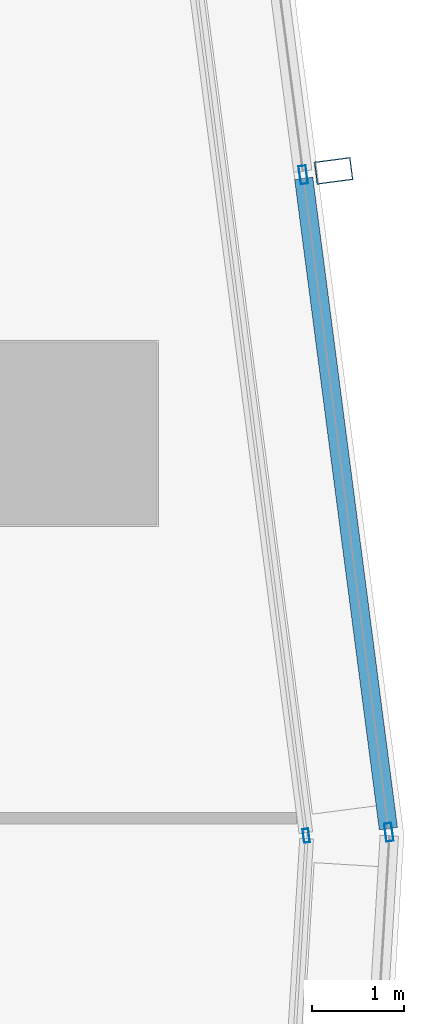
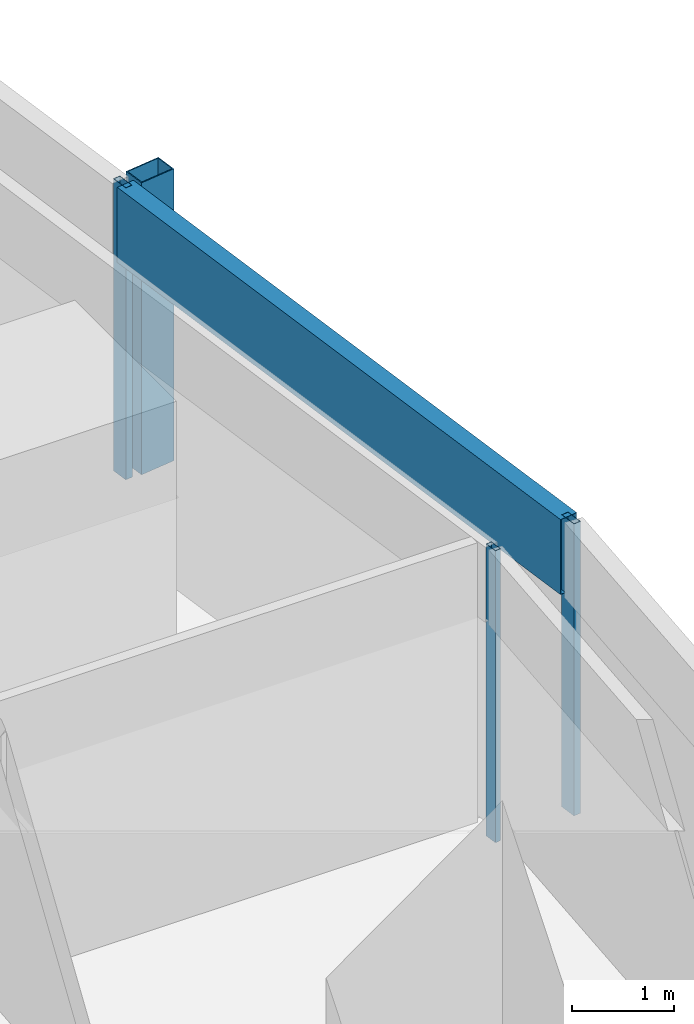
# One storey, part 23 of 36: 5 members, 2 elements without a shape of their own.
"""IFC4 building model written with IfcOpenShell, lengths in metres."""

import ifcopenshell
import ifcopenshell.guid

model = None  # the IFC model being written
_history = None  # IfcOwnerHistory: only IFC2X3 demands one
_inside = {}  # id of a spatial element -> (the spatial element, [elements in it])
_under = {}  # id of a project, library or spatial element -> (it, [spatial elements below it])
_declared = {}  # id of a project -> (the project, [libraries it declares])
_typed = {}  # id of a type object -> (the type object, [elements of that type])
_made_of = {}  # id of a material, layer set ... -> (it, [elements and type objects made of it])


def new_model(schema):
    """Start an empty IFC model of exactly this schema.

    Asked for "IFC4X3", IfcOpenShell would pick the latest addendum, in which some entities
    have other attributes; the version numbers below select the first issue.
    IFC2X3 requires an IfcOwnerHistory on every rooted entity: one is made here for all.
    """
    global model, _history
    if schema == "IFC4X3":
        model = ifcopenshell.file(schema_version=(4, 3, 0, 0))
    else:
        model = ifcopenshell.file(schema=schema)
    _inside.clear()
    _under.clear()
    _declared.clear()
    _typed.clear()
    _made_of.clear()
    _history = None
    if model.schema == "IFC2X3":
        org = make("IfcOrganization", Name="unknown")
        user = make(
            "IfcPersonAndOrganization",
            ThePerson=make("IfcPerson", FamilyName="unknown"),
            TheOrganization=org,
        )
        app = make(
            "IfcApplication",
            ApplicationDeveloper=org,
            Version="unknown",
            ApplicationFullName="unknown",
            ApplicationIdentifier="unknown",
        )
        _history = make(
            "IfcOwnerHistory",
            OwningUser=user,
            OwningApplication=app,
            ChangeAction="ADDED",
            CreationDate=0,
        )
    return model


def make(cls, **values):
    """One entity of the class cls with the attributes given. An attribute that is None is left unset."""
    return model.create_entity(
        cls, **{name: value for name, value in values.items() if value is not None}
    )


def rooted(cls, **values):
    """An entity with a GlobalId (a new one), such as an element, a storey or a relation."""
    return make(cls, GlobalId=ifcopenshell.guid.new(), OwnerHistory=_history, **values)


def si_unit(unit_type, name, prefix=None):
    """IfcSIUnit, for example si_unit("LENGTHUNIT", "METRE", prefix="MILLI")."""
    return make("IfcSIUnit", UnitType=unit_type, Prefix=prefix, Name=name)


def assignment(units):
    """IfcUnitAssignment: the units of a project."""
    return None if units is None else make("IfcUnitAssignment", Units=units)


def point(xyz):
    """IfcCartesianPoint."""
    return None if xyz is None else make("IfcCartesianPoint", Coordinates=xyz)


def direction(xyz):
    """IfcDirection."""
    return None if xyz is None else make("IfcDirection", DirectionRatios=xyz)


def frame(location, z_axis=None, x_axis=None):
    """IfcAxis2Placement3D, a coordinate frame: its origin and axes. An axis left out is left unset."""
    return make(
        "IfcAxis2Placement3D",
        Location=point(location),
        Axis=direction(z_axis),
        RefDirection=direction(x_axis),
    )


def frame_2d(location, x_axis=None):
    """IfcAxis2Placement2D, a coordinate frame in the plane: its origin and x axis."""
    return make(
        "IfcAxis2Placement2D", Location=point(location), RefDirection=direction(x_axis)
    )


def origin():
    """The frame at (0, 0, 0) with its axes left unset."""
    return frame((0.0, 0.0, 0.0))


def origin_2d():
    """The frame at (0, 0) in the plane with its x axis left unset."""
    return frame_2d((0.0, 0.0))


def place(relative_to, where):
    """IfcLocalPlacement: puts the frame where relative to a parent placement (None: the world)."""
    return make(
        "IfcLocalPlacement", PlacementRelTo=relative_to, RelativePlacement=where
    )


def context(
    kind, dimensions, precision=None, world=None, true_north=None, identifier=None
):
    """IfcGeometricRepresentationContext, for example the 3D "Model" context."""
    return make(
        "IfcGeometricRepresentationContext",
        ContextIdentifier=identifier,
        ContextType=kind,
        CoordinateSpaceDimension=dimensions,
        Precision=precision,
        WorldCoordinateSystem=world,
        TrueNorth=true_north,
    )


def subcontext(parent, identifier, kind, view, scale=None):
    """IfcGeometricRepresentationSubContext, for example "Body" below "Model"."""
    return make(
        "IfcGeometricRepresentationSubContext",
        ContextIdentifier=identifier,
        ContextType=kind,
        ParentContext=parent,
        TargetScale=scale,
        TargetView=view,
    )


def project(units=None, contexts=None):
    """IfcProject with its units and contexts."""
    return rooted(
        "IfcProject",
        Name="project",
        RepresentationContexts=contexts,
        UnitsInContext=assignment(units),
    )


def spatial(cls, under=None, at=None, **own):
    """A site, building, storey or space (cls), placed at a placement, below another one or the project."""
    s = rooted(cls, ObjectPlacement=at, **own)
    if under is not None:
        _under.setdefault(under.id(), (under, []))[1].append(s)
    return s


def profile(cls, at=None, kind="AREA", **sizes):
    """A parametric profile (cls). Its sizes go by their IFC names, for example OverallWidth=200.0."""
    return make(cls, ProfileType=kind, Position=at, **sizes)


def hollow_rectangle(**sizes):
    """IfcRectangleHollowProfileDef."""
    return profile("IfcRectangleHollowProfileDef", **sizes)


def extrude(swept, where, along, depth):
    """IfcExtrudedAreaSolid: the profile swept, set in the frame where, extruded along a direction by depth."""
    return make(
        "IfcExtrudedAreaSolid",
        SweptArea=swept,
        Position=where,
        ExtrudedDirection=direction(along),
        Depth=depth,
    )


def shape(context_of_items, identifier, shape_type, items):
    """IfcShapeRepresentation: the items that make up one representation, for example the "Body"."""
    return make(
        "IfcShapeRepresentation",
        ContextOfItems=context_of_items,
        RepresentationIdentifier=identifier,
        RepresentationType=shape_type,
        Items=items,
    )


def material(Name=None, Category=None):
    """IfcMaterial."""
    return make("IfcMaterial", Name=Name, Category=Category)


def material_profile(
    of_material, cross_section, Name=None, Category=None, Priority=None
):
    """IfcMaterialProfile: a cross section and its material."""
    return make(
        "IfcMaterialProfile",
        Name=Name,
        Material=of_material,
        Profile=cross_section,
        Priority=Priority,
        Category=Category,
    )


def profile_set(profiles, Name=None, composite=None):
    """IfcMaterialProfileSet."""
    return make(
        "IfcMaterialProfileSet",
        Name=Name,
        MaterialProfiles=profiles,
        CompositeProfile=composite,
    )


def made_of(thing, what):
    """Note that an element or type object is made of a material, layer set ...; save() writes the relation."""
    if what is not None:
        _made_of.setdefault(what.id(), (what, []))[1].append(thing)
    return thing


def type_object(cls, material=None, **own):
    """A type object (cls), such as IfcWallType, which elements share."""
    return made_of(rooted(cls, **own), material)


def element(
    cls,
    number,
    at=None,
    inside=None,
    cuts=None,
    type_object=None,
    material=None,
    context=None,
    identifier="Body",
    shape_type=None,
    held_by="IfcProductDefinitionShape",
    body=None,
    shapes=None,
    **own,
):
    """One element of the class cls, such as IfcWall. Its Tag is "e" and its number.

    at: its placement. inside: the storey or other place that contains it. cuts: it is an
    opening in that element (IfcRelVoidsElement). A single representation is given by context,
    identifier, shape_type and body (its items); several are given by shapes. held_by: the class
    of the entity that holds the representations. save() writes the other relations.
    """
    e = rooted(cls, Tag="e%d" % number, ObjectPlacement=at, **own)
    if body is not None:
        shapes = [shape(context, identifier, shape_type, body)]
    if shapes is not None:
        e.Representation = make(held_by, Representations=shapes)
    if inside is not None:
        _inside.setdefault(inside.id(), (inside, []))[1].append(e)
    if cuts is not None:
        rooted(
            "IfcRelVoidsElement", RelatingBuildingElement=cuts, RelatedOpeningElement=e
        )
    if type_object is not None:
        _typed.setdefault(type_object.id(), (type_object, []))[1].append(e)
    return made_of(e, material)


def aggregate(whole, parts):
    """IfcRelAggregates: a whole, such as a stair, and the parts it consists of."""
    return rooted("IfcRelAggregates", RelatingObject=whole, RelatedObjects=parts)


def save(model, path):
    """Write the relations noted so far, then the file.

    IfcRelAggregates (storeys below a building ...), IfcRelContainedInSpatialStructure (elements
    in a storey), IfcRelDefinesByType, IfcRelAssociatesMaterial and IfcRelDeclares: one each for
    every whole, place, type object, material and project.
    """
    for whole, parts in _under.values():
        aggregate(whole, parts)
    for where, things in _inside.values():
        rooted(
            "IfcRelContainedInSpatialStructure",
            RelatedElements=things,
            RelatingStructure=where,
        )
    for kind, things in _typed.values():
        rooted("IfcRelDefinesByType", RelatedObjects=things, RelatingType=kind)
    for what, things in _made_of.values():
        rooted("IfcRelAssociatesMaterial", RelatedObjects=things, RelatingMaterial=what)
    for by, libraries in _declared.values():
        rooted("IfcRelDeclares", RelatingContext=by, RelatedDefinitions=libraries)
    model.write(path)


model = new_model("IFC4")

# Units and contexts
model_context = context("Model", 3, precision=1e-05, world=origin(), true_north=direction((0.0, 1.0)))
body_context = subcontext(model_context, "Body", "Model", "MODEL_VIEW")
ifc_project = project(units=[si_unit("LENGTHUNIT", "METRE"), si_unit("AREAUNIT", "SQUARE_METRE"), si_unit("VOLUMEUNIT", "CUBIC_METRE"), si_unit("PLANEANGLEUNIT", "RADIAN"), si_unit("MASSUNIT", "GRAM", prefix="KILO")], contexts=[model_context])

# Site, building, storey
site_placement = place(None, origin())
site = spatial("IfcSite", under=ifc_project, at=site_placement, CompositionType="ELEMENT")
building_placement = place(site_placement, origin())
building = spatial("IfcBuilding", under=site, at=building_placement, Name="Rekha Terrace Tower", CompositionType="ELEMENT")
storey_placement = place(building_placement, frame((0.0, 0.0, 144.050048828125)))
storey = spatial("IfcBuildingStorey", under=building, at=storey_placement, Name="L36", CompositionType="ELEMENT", Elevation=144.050048828125)

# Curtain wall, member
ifc_material_1 = material(Name="Aluminium framing", Category="aluminium")
curtain_wall_type_1 = type_object("IfcCurtainWallType", Name="CW2 double skin outer glazing", PredefinedType="USERDEFINED", material=ifc_material_1)
curtain_wall_1_placement = place(storey_placement, origin())
curtain_wall_1 = element("IfcCurtainWall", 1, at=curtain_wall_1_placement, inside=storey, type_object=curtain_wall_type_1, Name="CW2 double skin outer glazing", ObjectType="DOUBLE SKIN OUTER GLAZING", PredefinedType="USERDEFINED")
ifc_material_2 = material(Name="Steel S355 with fluorocarbon finish", Category="steel")
ifc_material_profile_1 = material_profile(ifc_material_2, hollow_rectangle(XDim=0.25, YDim=0.39990234375, WallThickness=0.012451171875, at=origin_2d()), Name="RHS400x250x12.5")
ifc_profile_set_1 = profile_set([ifc_material_profile_1], Name="Steel S355 with fluorocarbon finish")
member_type_1 = type_object("IfcMemberType", Name="BL1 facade blade RHS 400 x 250", PredefinedType="USERDEFINED", material=ifc_profile_set_1)
member_1_placement = place(storey_placement, frame((70.131103515625, 53.2685546875, 0.0), z_axis=(0.0, 0.0, 1.0), x_axis=(-0.129119247945, 0.991629073702, 0.0)))
member_1 = element("IfcMember", 2, at=member_1_placement, type_object=member_type_1, Name="Facade blade", ObjectType="FACADE BLADE", PredefinedType="USERDEFINED", context=body_context, shape_type="SweptSolid", body=[
    extrude(hollow_rectangle(XDim=0.25, YDim=0.39990234375, WallThickness=0.012451171875, at=origin_2d()), origin(), (0.0, 0.0, 1.0), 3.5),
])

curtain_wall_type_2 = type_object("IfcCurtainWallType", Name="CW1 double skin inner glazing", PredefinedType="USERDEFINED", material=ifc_material_1)
curtain_wall_2_placement = place(storey_placement, origin())
curtain_wall_2 = element("IfcCurtainWall", 3, at=curtain_wall_2_placement, inside=storey, type_object=curtain_wall_type_2, Name="CW1 double skin inner glazing", ObjectType="DOUBLE SKIN INNER GLAZING", PredefinedType="USERDEFINED")
ifc_material_3 = material(Name="Aluminium mullion section", Category="aluminium")
ifc_material_profile_2 = material_profile(ifc_material_3, hollow_rectangle(XDim=0.06494140625, YDim=0.14990234375, WallThickness=0.00390625, at=origin_2d()), Name="AL RHS 65x150")
ifc_profile_set_2 = profile_set([ifc_material_profile_2], Name="Aluminium mullion section")
member_type_2 = type_object("IfcMemberType", Name="CW1 mullion RHS 65 x 150", PredefinedType="MULLION", material=ifc_profile_set_2)
member_2_placement = place(storey_placement, frame((69.83154296875, 46.00390625, 0.0), z_axis=(0.0, 0.0, 1.0), x_axis=(-0.991629186237, -0.129118383675, 0.0)))
member_2 = element("IfcMember", 4, at=member_2_placement, type_object=member_type_2, Name="CW1 mullion 1", PredefinedType="MULLION", context=body_context, shape_type="SweptSolid", body=[
    extrude(hollow_rectangle(XDim=0.06494140625, YDim=0.14990234375, WallThickness=0.00390625, at=origin_2d()), origin(), (0.0, 0.0, 1.0), 3.5),
])
aggregate(curtain_wall_2, [member_2])

# Member
ifc_material_profile_3 = material_profile(ifc_material_3, hollow_rectangle(XDim=0.080078125, YDim=0.199951171875, WallThickness=0.00390625, at=origin_2d()), Name="AL RHS 80x200")
ifc_profile_set_3 = profile_set([ifc_material_profile_3], Name="Aluminium mullion section")
member_type_3 = type_object("IfcMemberType", Name="CW2 mullion RHS 80 x 200", PredefinedType="MULLION", material=ifc_profile_set_3)
member_3_placement = place(storey_placement, frame((70.734130859375, 46.042236328125, 0.0), z_axis=(0.0, 0.0, 1.0), x_axis=(-0.991629186244, -0.129118383623, 0.0)))
member_3 = element("IfcMember", 5, at=member_3_placement, type_object=member_type_3, Name="CW2 mullion 1", PredefinedType="MULLION", context=body_context, shape_type="SweptSolid", body=[
    extrude(hollow_rectangle(XDim=0.080078125, YDim=0.199951171875, WallThickness=0.00390625, at=origin_2d()), origin(), (0.0, 0.0, 1.0), 3.5),
])

member_4_placement = place(storey_placement, frame((69.798828125, 53.225341796875, 0.0), z_axis=(0.0, 0.0, 1.0), x_axis=(-0.991629186244, -0.129118383623, 0.0)))
member_4 = element("IfcMember", 6, at=member_4_placement, type_object=member_type_3, Name="CW2 mullion 2", PredefinedType="MULLION", context=body_context, shape_type="SweptSolid", body=[
    extrude(hollow_rectangle(XDim=0.080078125, YDim=0.199951171875, WallThickness=0.00390625, at=origin_2d()), origin(), (0.0, 0.0, 1.0), 3.5),
])

ifc_material_4 = material(Name="Insulated aluminium spandrel box", Category="aluminium")
ifc_material_profile_4 = material_profile(ifc_material_4, hollow_rectangle(XDim=0.199951171875, YDim=0.89990234375, WallThickness=0.0029296875, at=origin_2d()), Name="AL SPANDREL BOX 200x900")
ifc_profile_set_4 = profile_set([ifc_material_profile_4], Name="Insulated aluminium spandrel box")
member_type_4 = type_object("IfcMemberType", Name="CW2 spandrel transom 200 x 900", PredefinedType="USERDEFINED", material=ifc_profile_set_4)
member_5_placement = place(storey_placement, frame((70.72900390625, 46.081787109375, 3.050048828125), z_axis=(-0.129125015962, 0.991628322635, 0.0), x_axis=(-0.991628322635, -0.129125015962, 0.0)))
member_5 = element("IfcMember", 7, at=member_5_placement, type_object=member_type_4, Name="CW2 spandrel transom 1", ObjectType="TRANSOM", PredefinedType="USERDEFINED", context=body_context, shape_type="SweptSolid", body=[
    extrude(hollow_rectangle(XDim=0.199951171875, YDim=0.89990234375, WallThickness=0.0029296875, at=origin_2d()), origin(), (0.0, 0.0, 1.0), 7.1640625),
])

aggregate(curtain_wall_1, [member_3, member_4, member_5, member_1])

save(model, "model.ifc")
